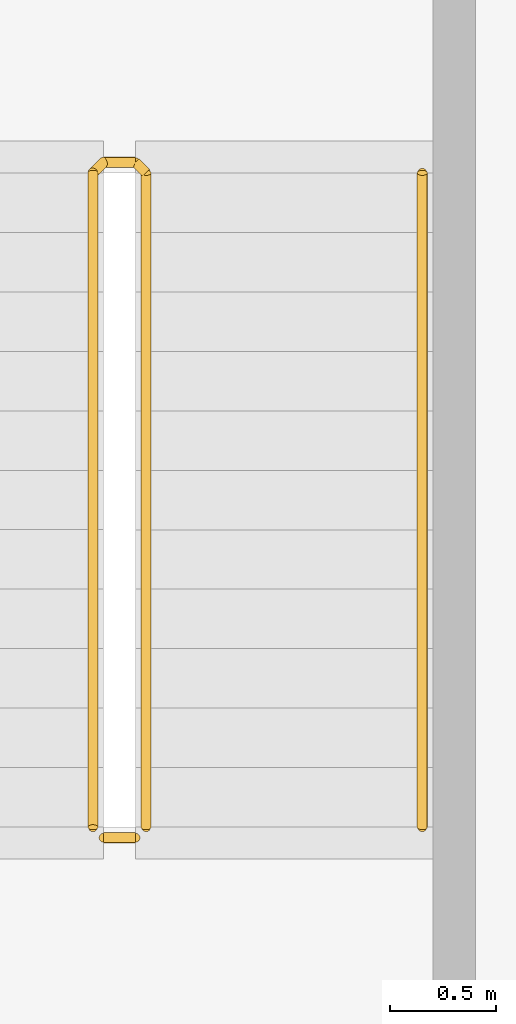
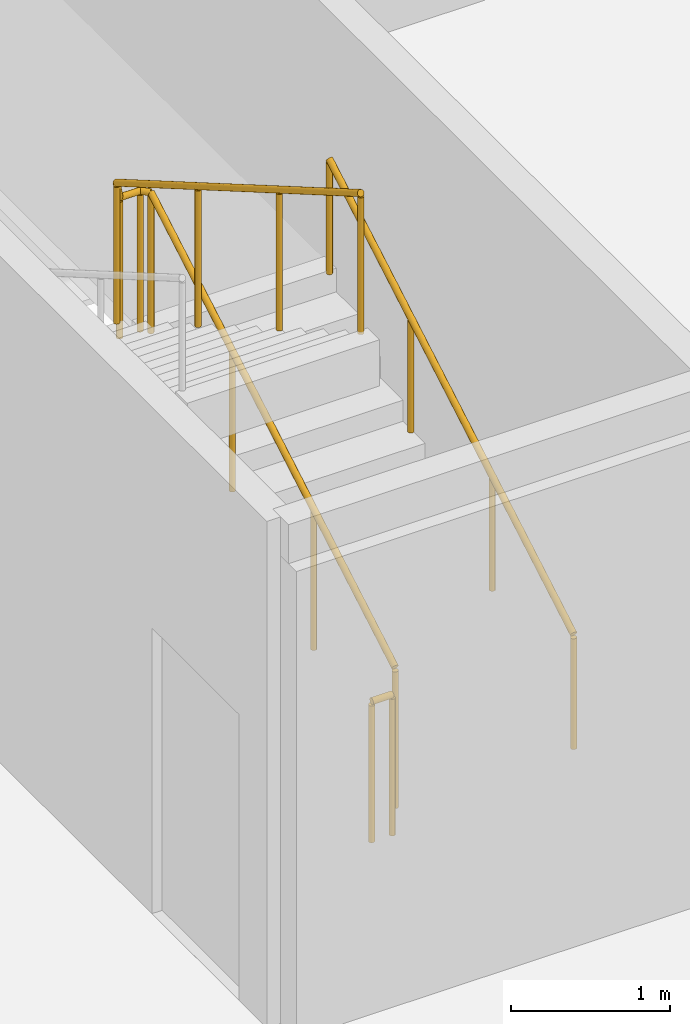
# One storey, part 23 of 24: 3 railings.
"""IFC4 building model written with IfcOpenShell, lengths in metres."""

from ifc_helpers import new_model, si_unit, direction, frame, origin, origin_2d, place, context, subcontext, project, spatial, circle, extrude, material, type_object, element, save


model = new_model("IFC4")

# Units and contexts
model_context = context("Model", 3, precision=1e-05, world=origin(), true_north=direction((0.0, 1.0)))
body_context = subcontext(model_context, "Body", "Model", "MODEL_VIEW")
ifc_project = project(units=[si_unit("LENGTHUNIT", "METRE"), si_unit("AREAUNIT", "SQUARE_METRE"), si_unit("VOLUMEUNIT", "CUBIC_METRE"), si_unit("PLANEANGLEUNIT", "RADIAN"), si_unit("MASSUNIT", "GRAM", prefix="KILO")], contexts=[model_context])

# Site, building, storey
site_placement = place(None, origin())
site = spatial("IfcSite", under=ifc_project, at=site_placement, CompositionType="ELEMENT")
building_placement = place(site_placement, origin())
building = spatial("IfcBuilding", under=site, at=building_placement, Name="Kheshtan School and Residences Tower", CompositionType="ELEMENT")
storey_placement = place(building_placement, frame((0.0, 0.0, 160.39990234375)))
storey = spatial("IfcBuildingStorey", under=building, at=storey_placement, Name="L37", CompositionType="ELEMENT", Elevation=160.39990234375)

# Railings
ifc_material_1 = material(Name="Stainless steel balustrade", Category="steel")
railing_type_1 = type_object("IfcRailingType", Name="Stair guard 1100", PredefinedType="GUARDRAIL", material=ifc_material_1)
railing_1_placement = place(storey_placement, frame((35.0, 80.89990234375, 0.16259765625)))
element("IfcRailing", 1, at=railing_1_placement, inside=storey, type_object=railing_type_1, Name="L37 ST3 stair guard 1", PredefinedType="GUARDRAIL", context=body_context, shape_type="SweptSolid", body=[
    extrude(circle(Radius=0.02392578125, at=origin_2d()), frame((0.0, 0.0, 1.076171875), z_axis=(0.0, 0.864890721111, 0.501960198159), x_axis=(-1.0, 0.0, 0.0)), (0.0, 0.0, 1.0), 3.561279296875),
    extrude(circle(Radius=0.02392578125, at=origin_2d()), frame((0.0, 3.080078125, 2.86376953125), z_axis=(-0.707106781187, 0.707106781187, 0.0), x_axis=(-0.707106781187, -0.707106781187, 0.0)), (0.0, 0.0, 1.0), 0.07080078125),
    extrude(circle(Radius=0.02392578125, at=origin_2d()), frame((-0.050048828125, 3.130126953125, 2.86376953125), z_axis=(-1.0, 0.0, 0.0), x_axis=(0.0, -1.0, 0.0)), (0.0, 0.0, 1.0), 0.14990234375),
    extrude(circle(Radius=0.02392578125, at=origin_2d()), frame((-0.199951171875, 3.130126953125, 2.86376953125), z_axis=(-0.282583949758, -0.282583949758, 0.916674763849), x_axis=(0.707106781187, -0.707106781187, 0.0)), (0.0, 0.0, 1.0), 0.177001953125),
    extrude(circle(Radius=0.02392578125, at=origin_2d()), frame((-0.25, 3.080078125, 3.02587890625), z_axis=(0.0, -0.864890721111, 0.501960198159), x_axis=(1.0, 0.0, 0.0)), (0.0, 0.0, 1.0), 3.561279296875),
    extrude(circle(Radius=0.02099609375, at=origin_2d()), origin(), (0.0, 0.0, 1.0), 1.052001953125),
    extrude(circle(Radius=0.02099609375, at=origin_2d()), frame((0.0, 1.026611328125, 0.595947265625)), (0.0, 0.0, 1.0), 1.052001953125),
    extrude(circle(Radius=0.02099609375, at=origin_2d()), frame((0.0, 2.053466796875, 1.191650390625)), (0.0, 0.0, 1.0), 1.052001953125),
    extrude(circle(Radius=0.02099609375, at=origin_2d()), frame((0.0, 3.080078125, 1.78759765625)), (0.0, 0.0, 1.0), 1.052001953125),
    extrude(circle(Radius=0.02099609375, at=origin_2d()), frame((-0.050048828125, 3.130126953125, 1.78759765625)), (0.0, 0.0, 1.0), 1.052001953125),
    extrude(circle(Radius=0.02099609375, at=origin_2d()), frame((-0.199951171875, 3.130126953125, 1.78759765625)), (0.0, 0.0, 1.0), 1.052001953125),
    extrude(circle(Radius=0.02099609375, at=origin_2d()), frame((-0.25, 3.080078125, 1.949951171875)), (0.0, 0.0, 1.0), 1.052001953125),
    extrude(circle(Radius=0.02099609375, at=origin_2d()), frame((-0.25, 2.053466796875, 2.5458984375)), (0.0, 0.0, 1.0), 1.052001953125),
    extrude(circle(Radius=0.02099609375, at=origin_2d()), frame((-0.25, 1.026611328125, 3.1416015625)), (0.0, 0.0, 1.0), 1.052001953125),
    extrude(circle(Radius=0.02099609375, at=origin_2d()), frame((-0.25, 0.0, 3.737548828125)), (0.0, 0.0, 1.0), 1.052001953125),
])
railing_2_placement = place(storey_placement, frame((34.949951171875, 80.85009765625, 0.0)))
element("IfcRailing", 2, at=railing_2_placement, inside=storey, type_object=railing_type_1, Name="L37 ST3 stair guard 2", PredefinedType="GUARDRAIL", context=body_context, shape_type="SweptSolid", body=[
    extrude(circle(Radius=0.02392578125, at=origin_2d()), frame((0.0, 0.0, 1.076171875), z_axis=(-1.0, 0.0, 0.0), x_axis=(0.0, -1.0, 0.0)), (0.0, 0.0, 1.0), 0.14990234375),
    extrude(circle(Radius=0.02099609375, at=origin_2d()), origin(), (0.0, 0.0, 1.0), 1.052001953125),
    extrude(circle(Radius=0.02099609375, at=origin_2d()), frame((-0.14990234375, 0.0, 0.0)), (0.0, 0.0, 1.0), 1.052001953125),
])
ifc_material_2 = material(Name="Stainless steel handrail", Category="steel")
railing_type_2 = type_object("IfcRailingType", Name="Stair handrail 900", PredefinedType="HANDRAIL", material=ifc_material_2)
railing_3_placement = place(storey_placement, frame((36.300048828125, 80.89990234375, 0.16259765625)))
element("IfcRailing", 3, at=railing_3_placement, inside=storey, type_object=railing_type_2, Name="L37 ST3 stair handrail 1", PredefinedType="HANDRAIL", context=body_context, shape_type="SweptSolid", body=[
    extrude(circle(Radius=0.02392578125, at=origin_2d()), frame((0.0, 0.0, 0.8759765625), z_axis=(0.0, 0.864890721111, 0.501960198159), x_axis=(-1.0, 0.0, 0.0)), (0.0, 0.0, 1.0), 3.561279296875),
    extrude(circle(Radius=0.02099609375, at=origin_2d()), origin(), (0.0, 0.0, 1.0), 0.851806640625),
    extrude(circle(Radius=0.02099609375, at=origin_2d()), frame((0.0, 1.026611328125, 0.595947265625)), (0.0, 0.0, 1.0), 0.851806640625),
    extrude(circle(Radius=0.02099609375, at=origin_2d()), frame((0.0, 2.053466796875, 1.191650390625)), (0.0, 0.0, 1.0), 0.851806640625),
    extrude(circle(Radius=0.02099609375, at=origin_2d()), frame((0.0, 3.080078125, 1.78759765625)), (0.0, 0.0, 1.0), 0.851806640625),
])

save(model, "model.ifc")
